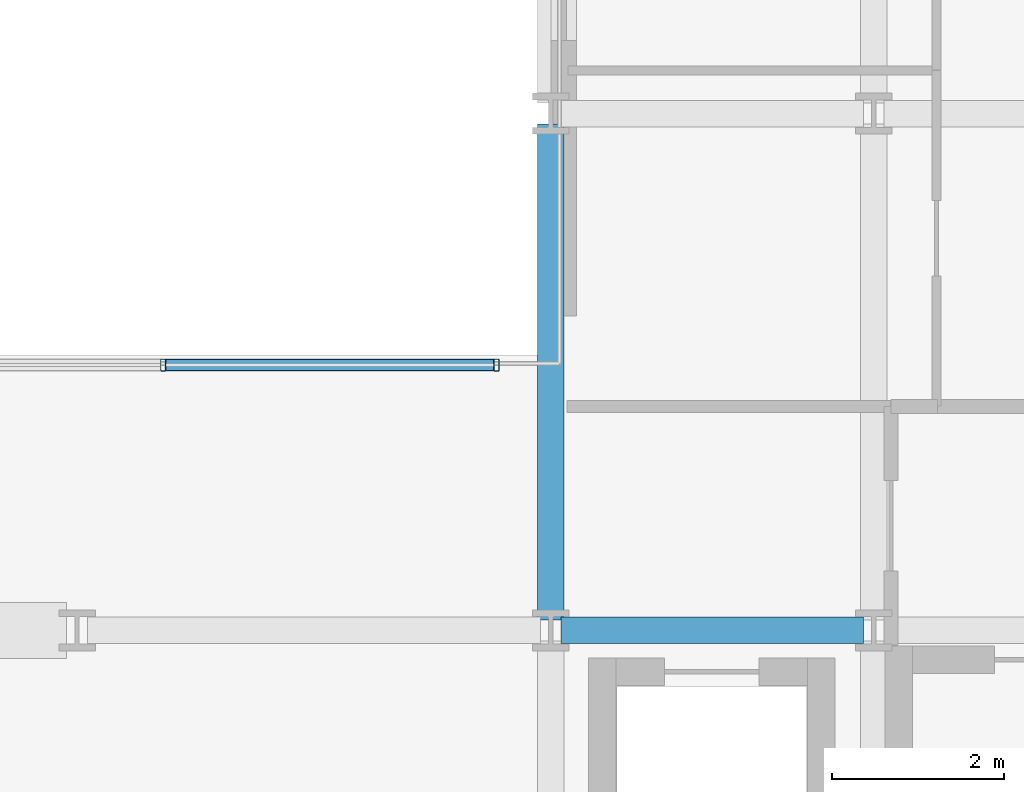
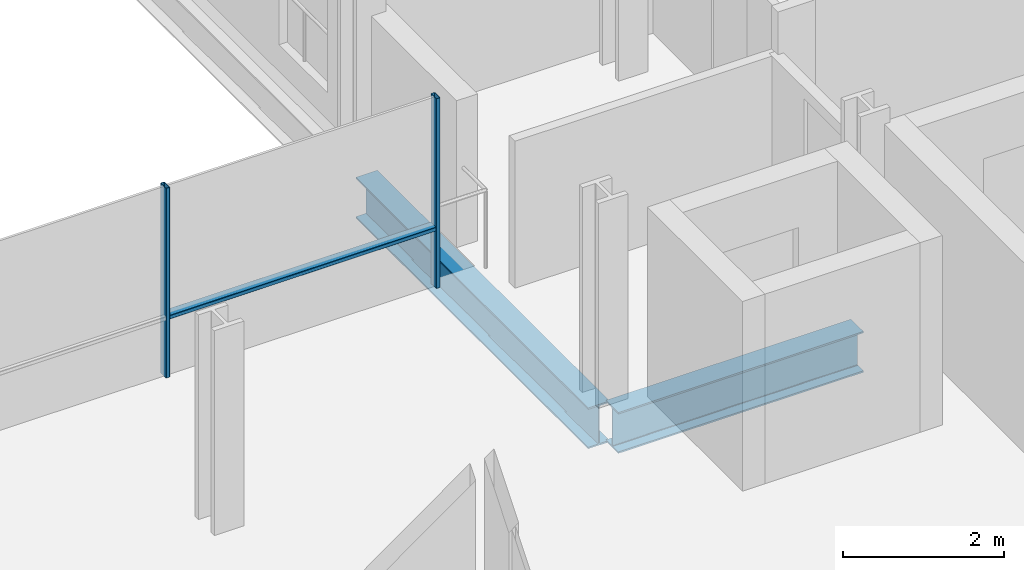
# One storey, part 13 of 41: 3 members, 2 beams, 1 element without a shape of its own.
"""IFC4 building model written with IfcOpenShell, lengths in metres."""

from ifc_helpers import new_model, si_unit, direction, frame, origin, origin_2d, place, context, subcontext, project, spatial, hollow_rectangle, i_section, extrude, material, layer, layer_set, material_profile, profile_set, type_object, element, aggregate, save


model = new_model("IFC4")

# Units and contexts
model_context = context("Model", 3, precision=1e-05, world=origin(), true_north=direction((0.0, 1.0)))
body_context = subcontext(model_context, "Body", "Model", "MODEL_VIEW")
ifc_project = project(units=[si_unit("LENGTHUNIT", "METRE"), si_unit("AREAUNIT", "SQUARE_METRE"), si_unit("VOLUMEUNIT", "CUBIC_METRE"), si_unit("PLANEANGLEUNIT", "RADIAN"), si_unit("MASSUNIT", "GRAM", prefix="KILO")], contexts=[model_context])

# Site, building, storey
site_placement = place(None, origin())
site = spatial("IfcSite", under=ifc_project, at=site_placement, CompositionType="ELEMENT")
building_placement = place(site_placement, origin())
building = spatial("IfcBuilding", under=site, at=building_placement, Name="Brevholm Reach", CompositionType="ELEMENT")
storey_placement = place(building_placement, frame((0.0, 0.0, 43.5)))
storey = spatial("IfcBuildingStorey", under=building, at=storey_placement, Name="L11", CompositionType="ELEMENT", Elevation=43.5)

# Beams
ifc_material_1 = material(Name="Structural Steel S355J2", Category="steel")
ifc_material_profile_1 = material_profile(ifc_material_1, i_section(OverallWidth=0.30712890625, OverallDepth=0.6201171875, WebThickness=0.01416015625, FlangeThickness=0.023681640625, FilletRadius=0.0166015625, at=origin_2d()), Name="UKB 610x305x179")
ifc_profile_set_1 = profile_set([ifc_material_profile_1], Name="Structural Steel S355J2")
beam_type = type_object("IfcBeamType", Name="BM-UKB610H", PredefinedType="USERDEFINED", material=ifc_profile_set_1)
beam_1_placement = place(storey_placement, frame((38.3701171875, 10.0, -0.5400390625), z_axis=(1.0, 0.0, 0.0), x_axis=(0.0, 1.0, 0.0)))
element("IfcBeam", 1, at=beam_1_placement, inside=storey, type_object=beam_type, Name="L11 G-06 Framing Beam", ObjectType="GIRDER", PredefinedType="USERDEFINED", context=body_context, shape_type="SweptSolid", body=[
    extrude(i_section(OverallWidth=0.30712890625, OverallDepth=0.6201171875, WebThickness=0.01416015625, FlangeThickness=0.023681640625, FilletRadius=0.0166015625, at=origin_2d()), origin(), (0.0, 0.0, 1.0), 3.509765625),
])
beam_2_placement = place(storey_placement, frame((38.25, 10.1201171875, -0.5400390625), z_axis=(0.0, 1.0, 0.0), x_axis=(-1.0, 0.0, 0.0)))
element("IfcBeam", 2, at=beam_2_placement, inside=storey, type_object=beam_type, Name="L11 G-06 Framing Beam", ObjectType="GIRDER", PredefinedType="USERDEFINED", context=body_context, shape_type="SweptSolid", body=[
    extrude(i_section(OverallWidth=0.30712890625, OverallDepth=0.6201171875, WebThickness=0.01416015625, FlangeThickness=0.023681640625, FilletRadius=0.0166015625, at=origin_2d()), origin(), (0.0, 0.0, 1.0), 5.759765625),
])

# Curtain wall, members
ifc_material_2 = material(Name="Dark Anodised Aluminium 6063-T6 and Solar-Control Glass", Category="aluminium")
ifc_layer = layer(ifc_material_2, 0.139892578125)
ifc_layer_set = layer_set([ifc_layer], Name="Dark Anodised Aluminium 6063-T6 and Solar-Control Glass")
curtain_wall_type = type_object("IfcCurtainWallType", Name="CW-02", PredefinedType="NOTDEFINED", material=ifc_layer_set)
curtain_wall_placement = place(storey_placement, origin())
curtain_wall = element("IfcCurtainWall", 3, at=curtain_wall_placement, inside=storey, type_object=curtain_wall_type, Name="L11 Curtain Wall CW-02", PredefinedType="NOTDEFINED")
ifc_material_3 = material(Name="Dark Anodised Aluminium 6063-T6", Category="aluminium")
ifc_material_profile_2 = material_profile(ifc_material_3, hollow_rectangle(XDim=0.06005859375, YDim=0.139892578125, WallThickness=0.0048828125, InnerFilletRadius=0.0048828125, OuterFilletRadius=0.010009765625, at=origin_2d()), Name="RHS 140x60x5")
ifc_profile_set_2 = profile_set([ifc_material_profile_2], Name="Dark Anodised Aluminium 6063-T6")
member_type_1 = type_object("IfcMemberType", Name="CWM-140", PredefinedType="MULLION", material=ifc_profile_set_2)
member_1_placement = place(storey_placement, frame((33.75, 13.080078125, 0.0), z_axis=(0.0, 0.0, 1.0), x_axis=(1.0, 0.0, 0.0)))
member_1 = element("IfcMember", 4, at=member_1_placement, type_object=member_type_1, Name="CM-140 Mullion 4", PredefinedType="MULLION", context=body_context, shape_type="SweptSolid", body=[
    extrude(hollow_rectangle(XDim=0.06005859375, YDim=0.139892578125, WallThickness=0.0048828125, InnerFilletRadius=0.0048828125, OuterFilletRadius=0.010009765625, at=origin_2d()), origin(), (0.0, 0.0, 1.0), 2.8701171875),
])
member_2_placement = place(storey_placement, frame((37.6201171875, 13.080078125, 0.0), z_axis=(0.0, 0.0, 1.0), x_axis=(1.0, 0.0, 0.0)))
member_2 = element("IfcMember", 5, at=member_2_placement, type_object=member_type_1, Name="CM-140 Mullion 5", PredefinedType="MULLION", context=body_context, shape_type="SweptSolid", body=[
    extrude(hollow_rectangle(XDim=0.06005859375, YDim=0.139892578125, WallThickness=0.0048828125, InnerFilletRadius=0.0048828125, OuterFilletRadius=0.010009765625, at=origin_2d()), origin(), (0.0, 0.0, 1.0), 2.8701171875),
])
ifc_material_4 = material(Name="Dark Anodised Aluminium 6063-T6", Category="aluminium")
ifc_material_profile_3 = material_profile(ifc_material_4, hollow_rectangle(XDim=0.06005859375, YDim=0.139892578125, WallThickness=0.0048828125, InnerFilletRadius=0.0048828125, OuterFilletRadius=0.010009765625, at=origin_2d()), Name="RHS 140x60x5")
ifc_profile_set_3 = profile_set([ifc_material_profile_3], Name="Dark Anodised Aluminium 6063-T6")
member_type_2 = type_object("IfcMemberType", Name="CWT-140", PredefinedType="NOTDEFINED", material=ifc_profile_set_3)
member_3_placement = place(storey_placement, frame((33.780029296875, 13.080078125, 0.89990234375), z_axis=(1.0, 0.0, 0.0), x_axis=(0.0, 0.0, 1.0)))
member_3 = element("IfcMember", 6, at=member_3_placement, type_object=member_type_2, Name="CT-140 Transom 4.1", ObjectType="TRANSOM", PredefinedType="USERDEFINED", context=body_context, shape_type="SweptSolid", body=[
    extrude(hollow_rectangle(XDim=0.06005859375, YDim=0.139892578125, WallThickness=0.0048828125, InnerFilletRadius=0.0048828125, OuterFilletRadius=0.010009765625, at=origin_2d()), origin(), (0.0, 0.0, 1.0), 3.81005859375),
])
aggregate(curtain_wall, [member_1, member_2, member_3])

save(model, "model.ifc")
